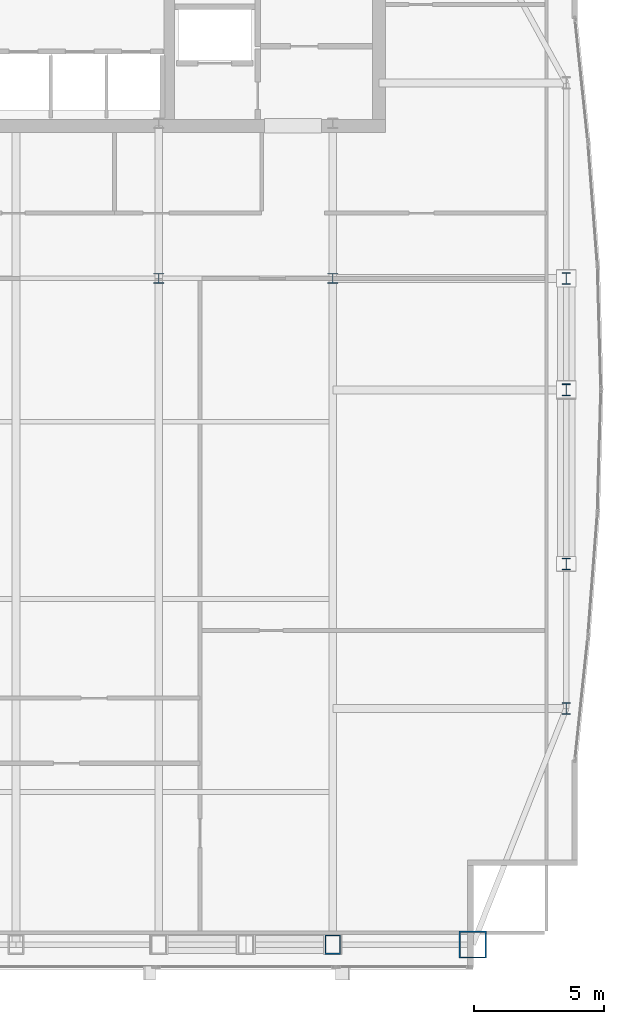
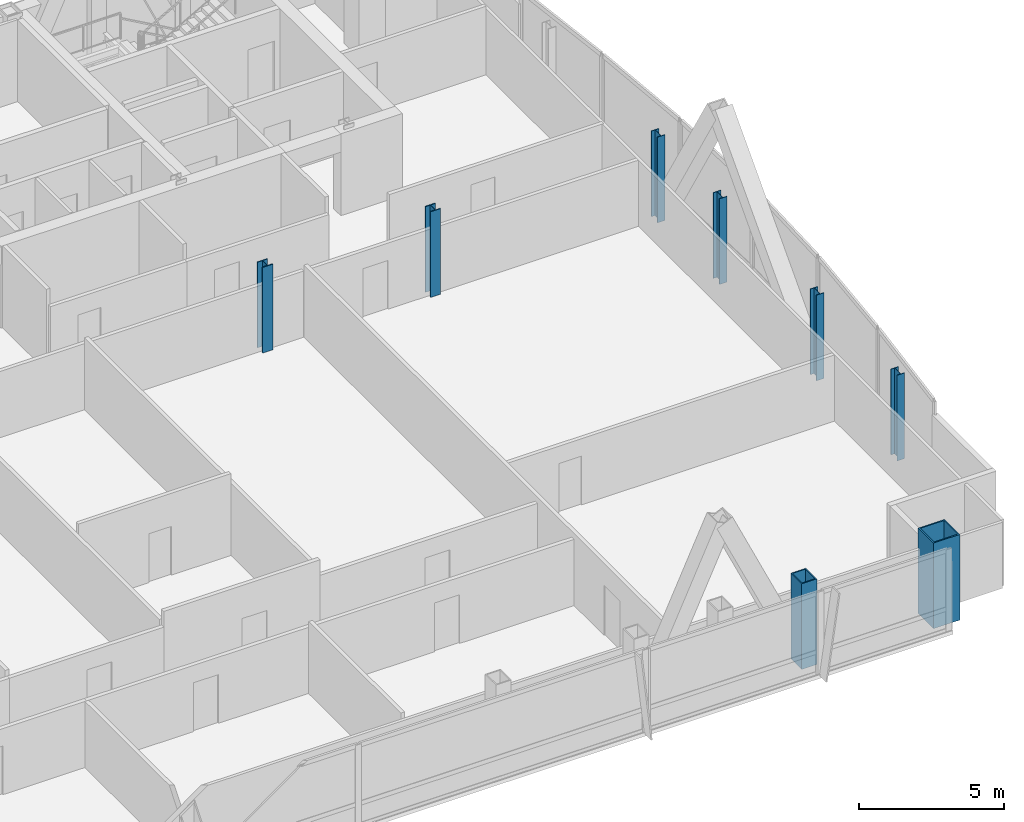
# One storey, part 2 of 30: 8 columns.
"""IFC4 building model written with IfcOpenShell, lengths in metres."""

from ifc_helpers import new_model, si_unit, direction, frame, origin, origin_2d, place, context, subcontext, project, spatial, hollow_rectangle, i_section, extrude, material, material_profile, profile_set, type_object, element, save


model = new_model("IFC4")

# Units and contexts
model_context = context("Model", 3, precision=1e-05, world=origin(), true_north=direction((0.0, 1.0)))
body_context = subcontext(model_context, "Body", "Model", "MODEL_VIEW")
ifc_project = project(units=[si_unit("LENGTHUNIT", "METRE"), si_unit("AREAUNIT", "SQUARE_METRE"), si_unit("VOLUMEUNIT", "CUBIC_METRE"), si_unit("PLANEANGLEUNIT", "RADIAN"), si_unit("MASSUNIT", "GRAM", prefix="KILO")], contexts=[model_context])

# Site, building, storey
site_placement = place(None, origin())
site = spatial("IfcSite", under=ifc_project, at=site_placement, CompositionType="ELEMENT")
building_placement = place(site_placement, origin())
building = spatial("IfcBuilding", under=site, at=building_placement, Name="Khoronbel Lancet Exchange", CompositionType="ELEMENT")
storey_placement = place(building_placement, frame((0.0, 0.0, 284.199951171875)))
storey = spatial("IfcBuildingStorey", under=building, at=storey_placement, Name="L73", CompositionType="ELEMENT", Elevation=284.199951171875)

# Columns
ifc_material_1 = material(Name="Steel S460", Category="steel")
ifc_material_profile_1 = material_profile(ifc_material_1, hollow_rectangle(XDim=0.60009765625, YDim=0.75, WallThickness=0.044921875, at=origin_2d()), Name="BOX 750x600x45")
ifc_profile_set_1 = profile_set([ifc_material_profile_1], Name="Steel S460")
column_type_1 = type_object("IfcColumnType", Name="COL-EC3", PredefinedType="COLUMN", material=ifc_profile_set_1)
column_1_placement = place(storey_placement, frame((54.675048828125, 10.14990234375, 0.0), z_axis=(0.0, 0.0, 1.0), x_axis=(1.0, 0.0, 0.0)))
element("IfcColumn", 1, at=column_1_placement, inside=storey, type_object=column_type_1, Name="Structural column SC-E2 L73", PredefinedType="COLUMN", context=body_context, shape_type="SweptSolid", body=[
    extrude(hollow_rectangle(XDim=0.60009765625, YDim=0.75, WallThickness=0.044921875, at=origin_2d()), origin(), (0.0, 0.0, 1.0), 3.60009765625),
])
ifc_material_2 = material(Name="Steel S355", Category="steel")
ifc_material_profile_2 = material_profile(ifc_material_2, i_section(OverallWidth=0.39892578125, OverallDepth=0.39306640625, WebThickness=0.022705078125, FlangeThickness=0.03662109375, at=origin_2d()), Name="HD 400x287")
ifc_profile_set_2 = profile_set([ifc_material_profile_2], Name="Steel S355")
column_type_2 = type_object("IfcColumnType", Name="COL-IC4", PredefinedType="COLUMN", material=ifc_profile_set_2)
for number, where, z_axis, x_axis, name in (
    (2, (48.0, 35.699951171875, 0.0), (0.0, 0.0, 1.0), (1.0, 0.0, 0.0), "Spine gravity column TC3 L73"),
    (3, (54.675048828125, 35.699951171875, 0.0), (0.0, 0.0, 1.0), (1.0, 0.0, 0.0), "Spine gravity column TC4 L73"),
):
    element("IfcColumn", number, at=place(storey_placement, frame(where, z_axis=z_axis, x_axis=x_axis)), inside=storey, type_object=column_type_2, Name=name, PredefinedType="COLUMN", context=body_context, shape_type="SweptSolid", body=[
        extrude(i_section(OverallWidth=0.39892578125, OverallDepth=0.39306640625, WebThickness=0.022705078125, FlangeThickness=0.03662109375, at=origin_2d()), origin(), (0.0, 0.0, 1.0), 3.60009765625),
    ])
ifc_material_profile_3 = material_profile(ifc_material_2, i_section(OverallWidth=0.300048828125, OverallDepth=0.449951171875, WebThickness=0.013916015625, FlangeThickness=0.02587890625, at=origin_2d()), Name="HEB 450")
ifc_profile_set_3 = profile_set([ifc_material_profile_3], Name="Steel S355")
column_type_3 = type_object("IfcColumnType", Name="COL-LC2", PredefinedType="COLUMN", material=ifc_profile_set_3)
for number, where, z_axis, x_axis, name in (
    (4, (63.6298828125, 19.199951171875, 0.0), (0.0, 0.0, 1.0), (1.0, 0.0, 0.0), "Structural column EC-1 L73"),
    (5, (63.6298828125, 24.75, 0.0), (0.0, 0.0, 1.0), (1.0, 0.0, 0.0), "Structural column EC-2 L73"),
    (6, (63.6298828125, 31.425048828125, 0.0), (0.0, 0.0, 1.0), (1.0, 0.0, 0.0), "Structural column EC-M L73"),
    (7, (63.6298828125, 35.699951171875, 0.0), (0.0, 0.0, 1.0), (1.0, 0.0, 0.0), "Structural column EC-3 L73"),
):
    element("IfcColumn", number, at=place(storey_placement, frame(where, z_axis=z_axis, x_axis=x_axis)), inside=storey, type_object=column_type_3, Name=name, PredefinedType="COLUMN", context=body_context, shape_type="SweptSolid", body=[
        extrude(i_section(OverallWidth=0.300048828125, OverallDepth=0.449951171875, WebThickness=0.013916015625, FlangeThickness=0.02587890625, at=origin_2d()), origin(), (0.0, 0.0, 1.0), 3.60009765625),
    ])
ifc_material_profile_4 = material_profile(ifc_material_1, hollow_rectangle(XDim=1.050048828125, YDim=1.050048828125, WallThickness=0.054931640625, at=origin_2d()), Name="BOX 1050x1050x55")
ifc_profile_set_4 = profile_set([ifc_material_profile_4], Name="Steel S460")
column_type_4 = type_object("IfcColumnType", Name="COL-MC6", PredefinedType="COLUMN", material=ifc_profile_set_4)
column_2_placement = place(storey_placement, frame((60.050048828125, 10.14990234375, 0.0), z_axis=(0.0, 0.0, 1.0), x_axis=(1.0, 0.0, 0.0)))
element("IfcColumn", 8, at=column_2_placement, inside=storey, type_object=column_type_4, Name="Structural column MC-SE L73", PredefinedType="COLUMN", context=body_context, shape_type="SweptSolid", body=[
    extrude(hollow_rectangle(XDim=1.050048828125, YDim=1.050048828125, WallThickness=0.054931640625, at=origin_2d()), origin(), (0.0, 0.0, 1.0), 3.60009765625),
])

save(model, "model.ifc")
